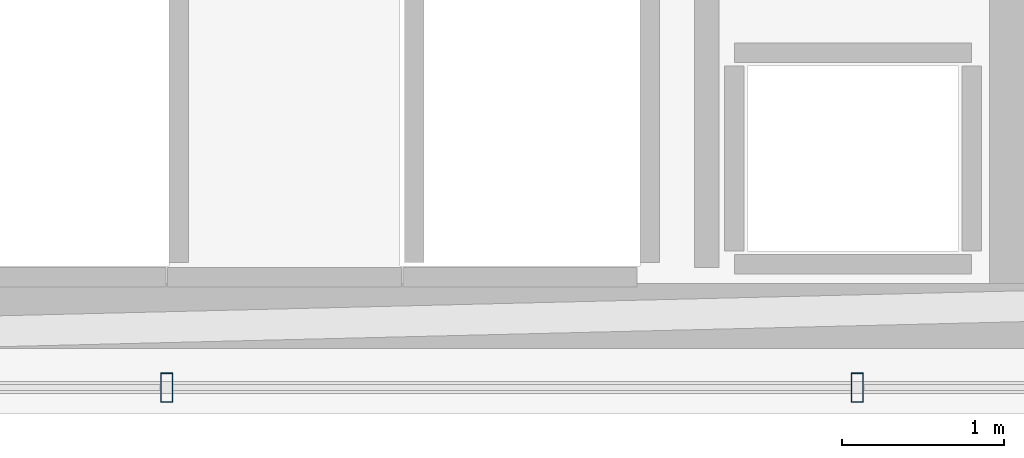
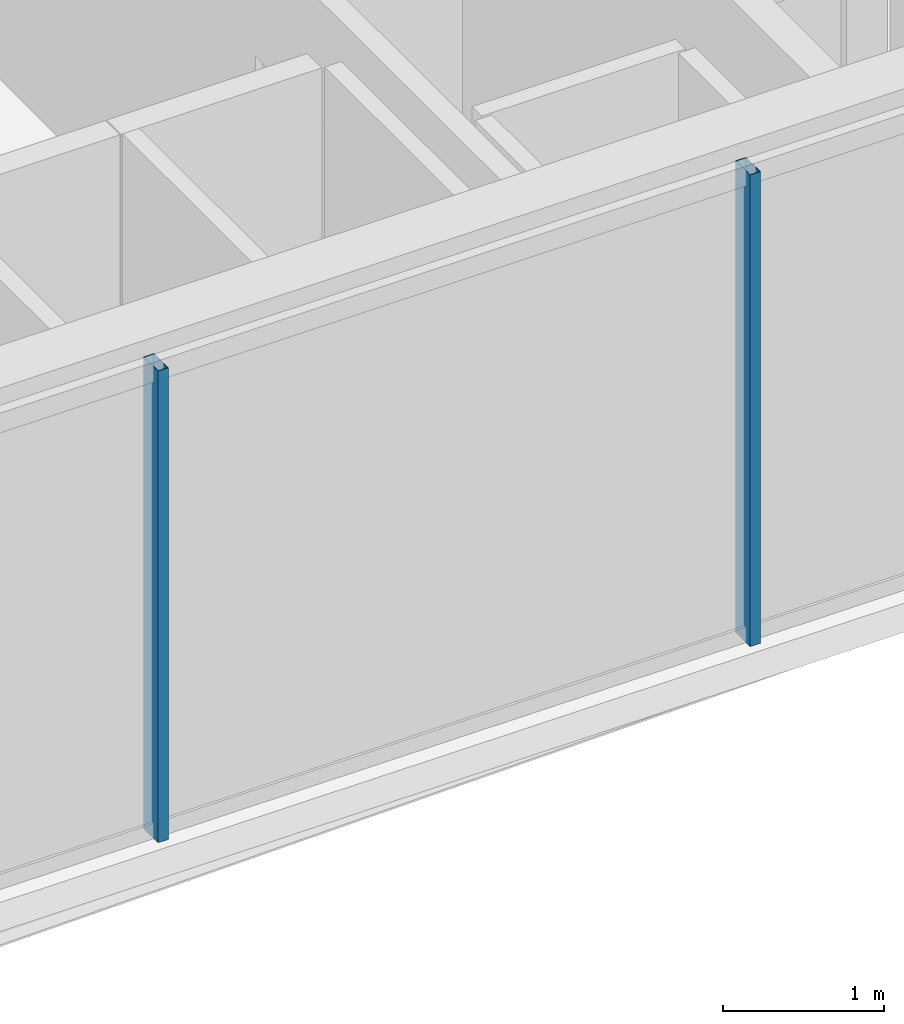
# One storey, part 8 of 34: 2 members, 1 element without a shape of its own.
"""IFC4 building model written with IfcOpenShell, lengths in metres."""

from ifc_helpers import new_model, si_unit, direction, frame, origin, origin_2d, place, context, subcontext, project, spatial, hollow_rectangle, extrude, material, layer, layer_set, material_profile, profile_set, type_object, element, aggregate, save


model = new_model("IFC4")

# Units and contexts
model_context = context("Model", 3, precision=1e-05, world=origin(), true_north=direction((0.0, 1.0)))
body_context = subcontext(model_context, "Body", "Model", "MODEL_VIEW")
ifc_project = project(units=[si_unit("LENGTHUNIT", "METRE"), si_unit("AREAUNIT", "SQUARE_METRE"), si_unit("VOLUMEUNIT", "CUBIC_METRE"), si_unit("PLANEANGLEUNIT", "RADIAN"), si_unit("MASSUNIT", "GRAM", prefix="KILO")], contexts=[model_context])

# Site, building, storey
site_placement = place(None, origin())
site = spatial("IfcSite", under=ifc_project, at=site_placement, CompositionType="ELEMENT")
building_placement = place(site_placement, origin())
building = spatial("IfcBuilding", under=site, at=building_placement, Name="Ndaravel Arena Tower", CompositionType="ELEMENT")
storey_placement = place(building_placement, frame((0.0, 0.0, 191.60009765625)))
storey = spatial("IfcBuildingStorey", under=building, at=storey_placement, Name="L46", CompositionType="ELEMENT", Elevation=191.60009765625)

# Curtain wall, members
ifc_material_1 = material(Name="Aluminium", Category="aluminium")
ifc_layer = layer(ifc_material_1, 0.179931640625)
ifc_layer_set = layer_set([ifc_layer], Name="Aluminium")
curtain_wall_type = type_object("IfcCurtainWallType", Name="CW-SYS-03", PredefinedType="NOTDEFINED", material=ifc_layer_set)
curtain_wall_placement = place(storey_placement, origin())
curtain_wall = element("IfcCurtainWall", 1, at=curtain_wall_placement, inside=storey, type_object=curtain_wall_type, Name="L46 Faceted Crystal Curtain Wall CW-L46-E01", PredefinedType="NOTDEFINED")
ifc_material_2 = material(Name="Aluminium", Category="aluminium")
ifc_material_profile = material_profile(ifc_material_2, hollow_rectangle(XDim=0.074951171875, YDim=0.179931640625, WallThickness=0.00390625, at=origin_2d()), Name="CW MULLION 75x180x4")
ifc_profile_set = profile_set([ifc_material_profile], Name="Aluminium")
member_type = type_object("IfcMemberType", Name="MEM-CW-MUL180", PredefinedType="MULLION", material=ifc_profile_set)
member_1_placement = place(storey_placement, frame((44.12548828125, 5.159912109375, 0.0), z_axis=(0.0, 0.0, 1.0), x_axis=(1.0, 0.0, 0.0)))
member_1 = element("IfcMember", 2, at=member_1_placement, type_object=member_type, Name="CW-L46-E01 Mullion 05", PredefinedType="MULLION", context=body_context, shape_type="SweptSolid", body=[
    extrude(hollow_rectangle(XDim=0.074951171875, YDim=0.179931640625, WallThickness=0.00390625, at=origin_2d()), origin(), (0.0, 0.0, 1.0), 3.579833984375),
])
member_2_placement = place(storey_placement, frame((48.376220703125, 5.159912109375, 0.0), z_axis=(0.0, 0.0, 1.0), x_axis=(1.0, 0.0, 0.0)))
member_2 = element("IfcMember", 3, at=member_2_placement, type_object=member_type, Name="CW-L46-E01 Mullion 06", PredefinedType="MULLION", context=body_context, shape_type="SweptSolid", body=[
    extrude(hollow_rectangle(XDim=0.074951171875, YDim=0.179931640625, WallThickness=0.00390625, at=origin_2d()), origin(), (0.0, 0.0, 1.0), 3.579833984375),
])
aggregate(curtain_wall, [member_1, member_2])

save(model, "model.ifc")
